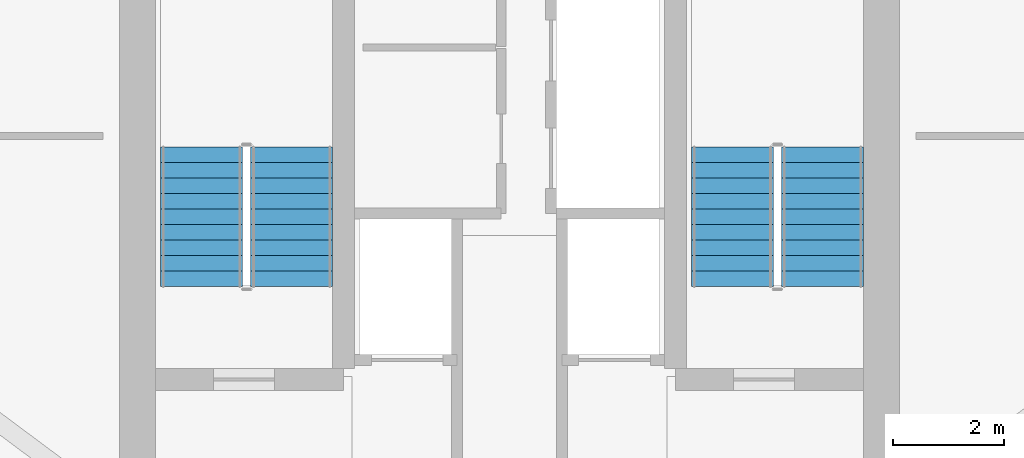
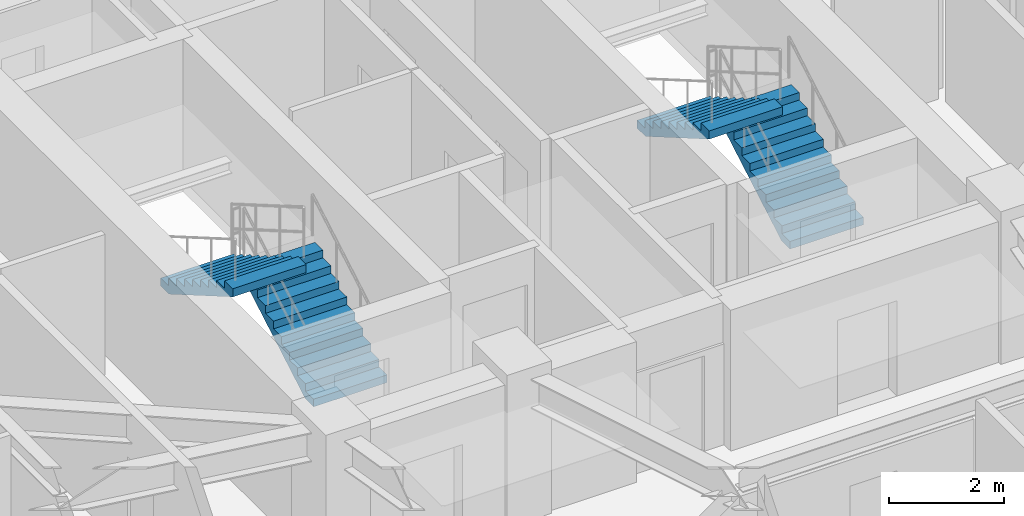
# One storey, part 29 of 31: 4 stair flights, 2 elements without a shape of their own.
"""IFC4 building model written with IfcOpenShell, lengths in metres."""

import ifcopenshell
import ifcopenshell.guid

model = None  # the IFC model being written
_history = None  # IfcOwnerHistory: only IFC2X3 demands one
_inside = {}  # id of a spatial element -> (the spatial element, [elements in it])
_under = {}  # id of a project, library or spatial element -> (it, [spatial elements below it])
_declared = {}  # id of a project -> (the project, [libraries it declares])
_typed = {}  # id of a type object -> (the type object, [elements of that type])
_made_of = {}  # id of a material, layer set ... -> (it, [elements and type objects made of it])


def new_model(schema):
    """Start an empty IFC model of exactly this schema.

    Asked for "IFC4X3", IfcOpenShell would pick the latest addendum, in which some entities
    have other attributes; the version numbers below select the first issue.
    IFC2X3 requires an IfcOwnerHistory on every rooted entity: one is made here for all.
    """
    global model, _history
    if schema == "IFC4X3":
        model = ifcopenshell.file(schema_version=(4, 3, 0, 0))
    else:
        model = ifcopenshell.file(schema=schema)
    _inside.clear()
    _under.clear()
    _declared.clear()
    _typed.clear()
    _made_of.clear()
    _history = None
    if model.schema == "IFC2X3":
        org = make("IfcOrganization", Name="unknown")
        user = make(
            "IfcPersonAndOrganization",
            ThePerson=make("IfcPerson", FamilyName="unknown"),
            TheOrganization=org,
        )
        app = make(
            "IfcApplication",
            ApplicationDeveloper=org,
            Version="unknown",
            ApplicationFullName="unknown",
            ApplicationIdentifier="unknown",
        )
        _history = make(
            "IfcOwnerHistory",
            OwningUser=user,
            OwningApplication=app,
            ChangeAction="ADDED",
            CreationDate=0,
        )
    return model


def make(cls, **values):
    """One entity of the class cls with the attributes given. An attribute that is None is left unset."""
    return model.create_entity(
        cls, **{name: value for name, value in values.items() if value is not None}
    )


def rooted(cls, **values):
    """An entity with a GlobalId (a new one), such as an element, a storey or a relation."""
    return make(cls, GlobalId=ifcopenshell.guid.new(), OwnerHistory=_history, **values)


def si_unit(unit_type, name, prefix=None):
    """IfcSIUnit, for example si_unit("LENGTHUNIT", "METRE", prefix="MILLI")."""
    return make("IfcSIUnit", UnitType=unit_type, Prefix=prefix, Name=name)


def assignment(units):
    """IfcUnitAssignment: the units of a project."""
    return None if units is None else make("IfcUnitAssignment", Units=units)


def point(xyz):
    """IfcCartesianPoint."""
    return None if xyz is None else make("IfcCartesianPoint", Coordinates=xyz)


def direction(xyz):
    """IfcDirection."""
    return None if xyz is None else make("IfcDirection", DirectionRatios=xyz)


def frame(location, z_axis=None, x_axis=None):
    """IfcAxis2Placement3D, a coordinate frame: its origin and axes. An axis left out is left unset."""
    return make(
        "IfcAxis2Placement3D",
        Location=point(location),
        Axis=direction(z_axis),
        RefDirection=direction(x_axis),
    )


def origin():
    """The frame at (0, 0, 0) with its axes left unset."""
    return frame((0.0, 0.0, 0.0))


def place(relative_to, where):
    """IfcLocalPlacement: puts the frame where relative to a parent placement (None: the world)."""
    return make(
        "IfcLocalPlacement", PlacementRelTo=relative_to, RelativePlacement=where
    )


def context(
    kind, dimensions, precision=None, world=None, true_north=None, identifier=None
):
    """IfcGeometricRepresentationContext, for example the 3D "Model" context."""
    return make(
        "IfcGeometricRepresentationContext",
        ContextIdentifier=identifier,
        ContextType=kind,
        CoordinateSpaceDimension=dimensions,
        Precision=precision,
        WorldCoordinateSystem=world,
        TrueNorth=true_north,
    )


def subcontext(parent, identifier, kind, view, scale=None):
    """IfcGeometricRepresentationSubContext, for example "Body" below "Model"."""
    return make(
        "IfcGeometricRepresentationSubContext",
        ContextIdentifier=identifier,
        ContextType=kind,
        ParentContext=parent,
        TargetScale=scale,
        TargetView=view,
    )


def project(units=None, contexts=None):
    """IfcProject with its units and contexts."""
    return rooted(
        "IfcProject",
        Name="project",
        RepresentationContexts=contexts,
        UnitsInContext=assignment(units),
    )


def spatial(cls, under=None, at=None, **own):
    """A site, building, storey or space (cls), placed at a placement, below another one or the project."""
    s = rooted(cls, ObjectPlacement=at, **own)
    if under is not None:
        _under.setdefault(under.id(), (under, []))[1].append(s)
    return s


def polyline(points):
    """IfcPolyline through the points."""
    return make("IfcPolyline", Points=[point(p) for p in points])


def outline(outer, holes=None, kind="AREA"):
    """IfcArbitraryClosedProfileDef: a profile drawn as a closed curve; with holes, ...WithVoids."""
    if holes is None:
        return make("IfcArbitraryClosedProfileDef", ProfileType=kind, OuterCurve=outer)
    return make(
        "IfcArbitraryProfileDefWithVoids",
        ProfileType=kind,
        OuterCurve=outer,
        InnerCurves=holes,
    )


def extrude(swept, where, along, depth):
    """IfcExtrudedAreaSolid: the profile swept, set in the frame where, extruded along a direction by depth."""
    return make(
        "IfcExtrudedAreaSolid",
        SweptArea=swept,
        Position=where,
        ExtrudedDirection=direction(along),
        Depth=depth,
    )


def shape(context_of_items, identifier, shape_type, items):
    """IfcShapeRepresentation: the items that make up one representation, for example the "Body"."""
    return make(
        "IfcShapeRepresentation",
        ContextOfItems=context_of_items,
        RepresentationIdentifier=identifier,
        RepresentationType=shape_type,
        Items=items,
    )


def material(Name=None, Category=None):
    """IfcMaterial."""
    return make("IfcMaterial", Name=Name, Category=Category)


def made_of(thing, what):
    """Note that an element or type object is made of a material, layer set ...; save() writes the relation."""
    if what is not None:
        _made_of.setdefault(what.id(), (what, []))[1].append(thing)
    return thing


def type_object(cls, material=None, **own):
    """A type object (cls), such as IfcWallType, which elements share."""
    return made_of(rooted(cls, **own), material)


def element(
    cls,
    number,
    at=None,
    inside=None,
    cuts=None,
    type_object=None,
    material=None,
    context=None,
    identifier="Body",
    shape_type=None,
    held_by="IfcProductDefinitionShape",
    body=None,
    shapes=None,
    **own,
):
    """One element of the class cls, such as IfcWall. Its Tag is "e" and its number.

    at: its placement. inside: the storey or other place that contains it. cuts: it is an
    opening in that element (IfcRelVoidsElement). A single representation is given by context,
    identifier, shape_type and body (its items); several are given by shapes. held_by: the class
    of the entity that holds the representations. save() writes the other relations.
    """
    e = rooted(cls, Tag="e%d" % number, ObjectPlacement=at, **own)
    if body is not None:
        shapes = [shape(context, identifier, shape_type, body)]
    if shapes is not None:
        e.Representation = make(held_by, Representations=shapes)
    if inside is not None:
        _inside.setdefault(inside.id(), (inside, []))[1].append(e)
    if cuts is not None:
        rooted(
            "IfcRelVoidsElement", RelatingBuildingElement=cuts, RelatedOpeningElement=e
        )
    if type_object is not None:
        _typed.setdefault(type_object.id(), (type_object, []))[1].append(e)
    return made_of(e, material)


def aggregate(whole, parts):
    """IfcRelAggregates: a whole, such as a stair, and the parts it consists of."""
    return rooted("IfcRelAggregates", RelatingObject=whole, RelatedObjects=parts)


def save(model, path):
    """Write the relations noted so far, then the file.

    IfcRelAggregates (storeys below a building ...), IfcRelContainedInSpatialStructure (elements
    in a storey), IfcRelDefinesByType, IfcRelAssociatesMaterial and IfcRelDeclares: one each for
    every whole, place, type object, material and project.
    """
    for whole, parts in _under.values():
        aggregate(whole, parts)
    for where, things in _inside.values():
        rooted(
            "IfcRelContainedInSpatialStructure",
            RelatedElements=things,
            RelatingStructure=where,
        )
    for kind, things in _typed.values():
        rooted("IfcRelDefinesByType", RelatedObjects=things, RelatingType=kind)
    for what, things in _made_of.values():
        rooted("IfcRelAssociatesMaterial", RelatedObjects=things, RelatingMaterial=what)
    for by, libraries in _declared.values():
        rooted("IfcRelDeclares", RelatingContext=by, RelatedDefinitions=libraries)
    model.write(path)


model = new_model("IFC4")

# Units and contexts
model_context = context("Model", 3, precision=1e-05, world=origin(), true_north=direction((0.0, 1.0)))
body_context = subcontext(model_context, "Body", "Model", "MODEL_VIEW")
ifc_project = project(units=[si_unit("LENGTHUNIT", "METRE"), si_unit("AREAUNIT", "SQUARE_METRE"), si_unit("VOLUMEUNIT", "CUBIC_METRE"), si_unit("PLANEANGLEUNIT", "RADIAN"), si_unit("MASSUNIT", "GRAM", prefix="KILO")], contexts=[model_context])

# Site, building, storey
site_placement = place(None, origin())
site = spatial("IfcSite", under=ifc_project, at=site_placement, CompositionType="ELEMENT")
building_placement = place(site_placement, origin())
building = spatial("IfcBuilding", under=site, at=building_placement, Name="Veraguas Prism Commons", CompositionType="ELEMENT")
storey_placement = place(building_placement, frame((0.0, 0.0, 132.75)))
storey = spatial("IfcBuildingStorey", under=building, at=storey_placement, Name="L37", CompositionType="ELEMENT", Elevation=132.75)

# Stair, stair flights
ifc_material = material(Name="Precast concrete C45/55", Category="concrete")
stair_type = type_object("IfcStairType", Name="Dogleg Core Stair 1480W 20R 05", PredefinedType="HALF_TURN_STAIR", material=ifc_material)
stair_1_placement = place(storey_placement, origin())
stair_1 = element("IfcStair", 1, at=stair_1_placement, inside=storey, type_object=stair_type, Name="Protected Exit Stair ST-01 L37", PredefinedType="HALF_TURN_STAIR")
stair_flight_type = type_object("IfcStairFlightType", Name="Precast Stair Flight 1480W 10R 05", PredefinedType="STRAIGHT", material=ifc_material)
stair_flight_1_placement = place(storey_placement, frame((20.06005859375, 21.280029296875, 0.0), z_axis=(0.0, 0.0, 1.0), x_axis=(0.0, 1.0, 0.0)))
stair_flight_1 = element("IfcStairFlight", 2, at=stair_flight_1_placement, type_object=stair_flight_type, Name="ST-05 Flight 1", NumberOfRisers=10, NumberOfTreads=9, PredefinedType="STRAIGHT", RiserHeight=0.1625, TreadLength=0.28, context=body_context, shape_type="SweptSolid", body=[
    extrude(outline(polyline([(0.0, 0.0), (0.0, 0.16259765625), (0.280029296875, 0.16259765625), (0.280029296875, 0.324951171875), (0.56005859375, 0.324951171875), (0.56005859375, 0.487548828125), (0.840087890625, 0.487548828125), (0.840087890625, 0.64990234375), (1.1201171875, 0.64990234375), (1.1201171875, 0.8125), (1.39990234375, 0.8125), (1.39990234375, 0.97509765625), (1.679931640625, 0.97509765625), (1.679931640625, 1.137451171875), (1.9599609375, 1.137451171875), (1.9599609375, 1.300048828125), (2.239990234375, 1.300048828125), (2.239990234375, 1.46240234375), (2.52001953125, 1.46240234375), (2.52001953125, 1.625), (2.52001953125, 1.2890625), (0.298583984375, 0.0), (0.0, 0.0)])), frame((0.0, 0.739990234375, 0.0), z_axis=(0.0, -1.0, 0.0), x_axis=(1.0, 0.0, 0.0)), (0.0, 0.0, 1.0), 1.47998046875),
])
stair_flight_2_placement = place(storey_placement, frame((18.429931640625, 23.800048828125, 1.625), z_axis=(0.0, 0.0, 1.0), x_axis=(0.0, -1.0, 0.0)))
stair_flight_2 = element("IfcStairFlight", 3, at=stair_flight_2_placement, type_object=stair_flight_type, Name="ST-05 Flight 2", NumberOfRisers=10, NumberOfTreads=9, PredefinedType="STRAIGHT", RiserHeight=0.1625, TreadLength=0.28, context=body_context, shape_type="SweptSolid", body=[
    extrude(outline(polyline([(0.0, 0.0), (0.0, 0.16259765625), (0.280029296875, 0.16259765625), (0.280029296875, 0.324951171875), (0.56005859375, 0.324951171875), (0.56005859375, 0.487548828125), (0.840087890625, 0.487548828125), (0.840087890625, 0.64990234375), (1.1201171875, 0.64990234375), (1.1201171875, 0.8125), (1.39990234375, 0.8125), (1.39990234375, 0.97509765625), (1.679931640625, 0.97509765625), (1.679931640625, 1.137451171875), (1.9599609375, 1.137451171875), (1.9599609375, 1.300048828125), (2.239990234375, 1.300048828125), (2.239990234375, 1.46240234375), (2.52001953125, 1.46240234375), (2.52001953125, 1.625), (2.52001953125, 1.2890625), (0.298583984375, 0.0), (0.0, 0.0)])), frame((0.0, 0.739990234375, 0.0), z_axis=(0.0, -1.0, 0.0), x_axis=(1.0, 0.0, 0.0)), (0.0, 0.0, 1.0), 1.47998046875),
])
aggregate(stair_1, [stair_flight_1, stair_flight_2])

stair_2_placement = place(storey_placement, origin())
stair_2 = element("IfcStair", 4, at=stair_2_placement, inside=storey, type_object=stair_type, Name="Protected Exit Stair ST-02 L37", PredefinedType="HALF_TURN_STAIR")
stair_flight_3_placement = place(storey_placement, frame((29.659912109375, 21.280029296875, 0.0), z_axis=(0.0, 0.0, 1.0), x_axis=(0.0, 1.0, 0.0)))
stair_flight_3 = element("IfcStairFlight", 5, at=stair_flight_3_placement, type_object=stair_flight_type, Name="ST-05 Flight 1", NumberOfRisers=10, NumberOfTreads=9, PredefinedType="STRAIGHT", RiserHeight=0.1625, TreadLength=0.28, context=body_context, shape_type="SweptSolid", body=[
    extrude(outline(polyline([(0.0, 0.0), (0.0, 0.16259765625), (0.280029296875, 0.16259765625), (0.280029296875, 0.324951171875), (0.56005859375, 0.324951171875), (0.56005859375, 0.487548828125), (0.840087890625, 0.487548828125), (0.840087890625, 0.64990234375), (1.1201171875, 0.64990234375), (1.1201171875, 0.8125), (1.39990234375, 0.8125), (1.39990234375, 0.97509765625), (1.679931640625, 0.97509765625), (1.679931640625, 1.137451171875), (1.9599609375, 1.137451171875), (1.9599609375, 1.300048828125), (2.239990234375, 1.300048828125), (2.239990234375, 1.46240234375), (2.52001953125, 1.46240234375), (2.52001953125, 1.625), (2.52001953125, 1.2890625), (0.298583984375, 0.0), (0.0, 0.0)])), frame((0.0, 0.739990234375, 0.0), z_axis=(0.0, -1.0, 0.0), x_axis=(1.0, 0.0, 0.0)), (0.0, 0.0, 1.0), 1.47998046875),
])
stair_flight_4_placement = place(storey_placement, frame((28.030029296875, 23.800048828125, 1.625), z_axis=(0.0, 0.0, 1.0), x_axis=(0.0, -1.0, 0.0)))
stair_flight_4 = element("IfcStairFlight", 6, at=stair_flight_4_placement, type_object=stair_flight_type, Name="ST-05 Flight 2", NumberOfRisers=10, NumberOfTreads=9, PredefinedType="STRAIGHT", RiserHeight=0.1625, TreadLength=0.28, context=body_context, shape_type="SweptSolid", body=[
    extrude(outline(polyline([(0.0, 0.0), (0.0, 0.16259765625), (0.280029296875, 0.16259765625), (0.280029296875, 0.324951171875), (0.56005859375, 0.324951171875), (0.56005859375, 0.487548828125), (0.840087890625, 0.487548828125), (0.840087890625, 0.64990234375), (1.1201171875, 0.64990234375), (1.1201171875, 0.8125), (1.39990234375, 0.8125), (1.39990234375, 0.97509765625), (1.679931640625, 0.97509765625), (1.679931640625, 1.137451171875), (1.9599609375, 1.137451171875), (1.9599609375, 1.300048828125), (2.239990234375, 1.300048828125), (2.239990234375, 1.46240234375), (2.52001953125, 1.46240234375), (2.52001953125, 1.625), (2.52001953125, 1.2890625), (0.298583984375, 0.0), (0.0, 0.0)])), frame((0.0, 0.739990234375, 0.0), z_axis=(0.0, -1.0, 0.0), x_axis=(1.0, 0.0, 0.0)), (0.0, 0.0, 1.0), 1.47998046875),
])
aggregate(stair_2, [stair_flight_3, stair_flight_4])

save(model, "model.ifc")
